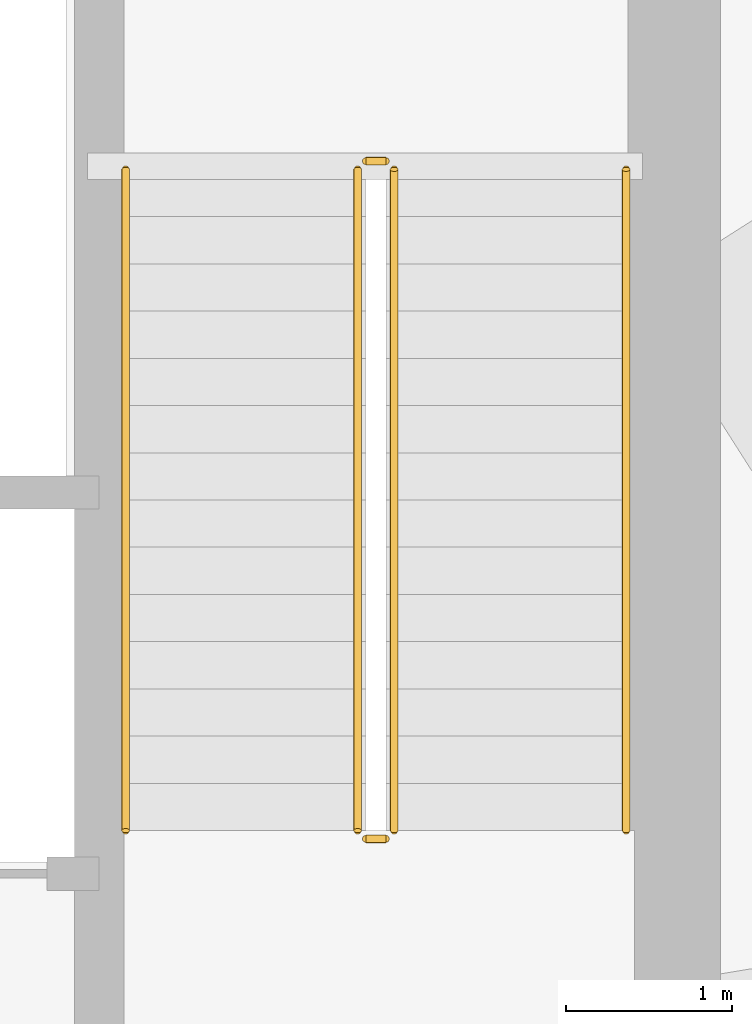
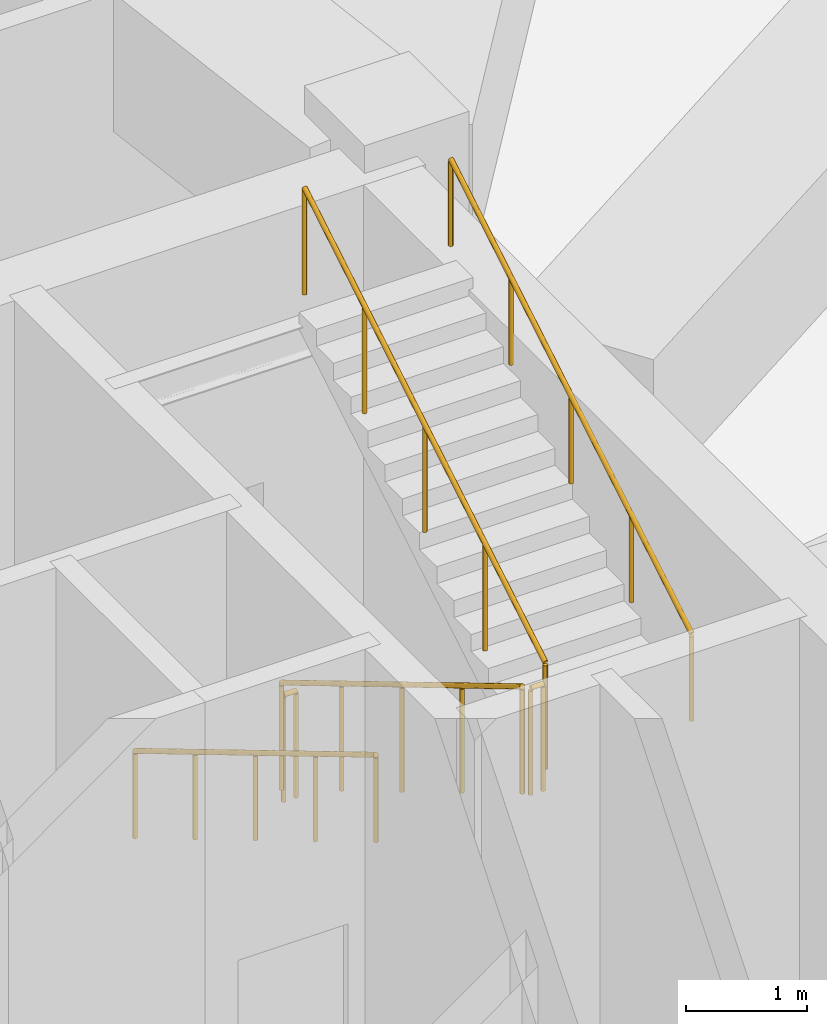
# One storey, part 23 of 23: 6 railings.
"""IFC4 building model written with IfcOpenShell, lengths in metres."""

from ifc_helpers import new_model, si_unit, direction, frame, origin, origin_2d, place, context, subcontext, project, spatial, circle, extrude, material, type_object, element, save


model = new_model("IFC4")

# Units and contexts
model_context = context("Model", 3, precision=1e-05, world=origin(), true_north=direction((0.0, 1.0)))
body_context = subcontext(model_context, "Body", "Model", "MODEL_VIEW")
ifc_project = project(units=[si_unit("LENGTHUNIT", "METRE"), si_unit("AREAUNIT", "SQUARE_METRE"), si_unit("VOLUMEUNIT", "CUBIC_METRE"), si_unit("PLANEANGLEUNIT", "RADIAN"), si_unit("MASSUNIT", "GRAM", prefix="KILO")], contexts=[model_context])

# Site, building, storey
site_placement = place(None, origin())
site = spatial("IfcSite", under=ifc_project, at=site_placement, CompositionType="ELEMENT")
building_placement = place(site_placement, origin())
building = spatial("IfcBuilding", under=site, at=building_placement, Name="Qobustan Lattice House", CompositionType="ELEMENT")
storey_placement = place(building_placement, frame((0.0, 0.0, 125.89990234375)))
storey = spatial("IfcBuildingStorey", under=building, at=storey_placement, Name="L35", CompositionType="ELEMENT", Elevation=125.89990234375)

# Railings
ifc_material_1 = material(Name="Brushed stainless steel handrail", Category="steel")
railing_type_1 = type_object("IfcRailingType", Name="RAL-HR-920", PredefinedType="HANDRAIL", material=ifc_material_1)
railing_1_placement = place(storey_placement, frame((15.179931640625, 3.5, 0.170166015625)))
element("IfcRailing", 1, at=railing_1_placement, inside=storey, type_object=railing_type_1, Name="L35 ST-E1 stair handrail 1", PredefinedType="HANDRAIL", context=body_context, shape_type="SweptSolid", body=[
    extrude(circle(Radius=0.02392578125, at=origin_2d()), frame((0.0, 0.0, 0.8759765625), z_axis=(0.0, -0.85883005064, 0.512260621284), x_axis=(1.0, 0.0, 0.0)), (0.0, 0.0, 1.0), 4.645751953125),
    extrude(circle(Radius=0.02099609375, at=origin_2d()), origin(), (0.0, 0.0, 1.0), 0.851806640625),
    extrude(circle(Radius=0.02099609375, at=origin_2d()), frame((0.0, -0.99755859375, 0.594970703125)), (0.0, 0.0, 1.0), 0.851806640625),
    extrude(circle(Radius=0.02099609375, at=origin_2d()), frame((0.0, -1.9951171875, 1.18994140625)), (0.0, 0.0, 1.0), 0.851806640625),
    extrude(circle(Radius=0.02099609375, at=origin_2d()), frame((0.0, -2.992431640625, 1.784912109375)), (0.0, 0.0, 1.0), 0.851806640625),
    extrude(circle(Radius=0.02099609375, at=origin_2d()), frame((0.0, -3.989990234375, 2.3798828125)), (0.0, 0.0, 1.0), 0.851806640625),
])
railing_2_placement = place(storey_placement, frame((18.199951171875, -0.489990234375, 2.72021484375)))
element("IfcRailing", 2, at=railing_2_placement, inside=storey, type_object=railing_type_1, Name="L35 ST-E1 stair handrail 2", PredefinedType="HANDRAIL", context=body_context, shape_type="SweptSolid", body=[
    extrude(circle(Radius=0.02392578125, at=origin_2d()), frame((0.0, 0.0, 0.8759765625), z_axis=(0.0, 0.85883005064, 0.512260621284), x_axis=(-1.0, 0.0, 0.0)), (0.0, 0.0, 1.0), 4.645751953125),
    extrude(circle(Radius=0.02099609375, at=origin_2d()), origin(), (0.0, 0.0, 1.0), 0.851806640625),
    extrude(circle(Radius=0.02099609375, at=origin_2d()), frame((0.0, 0.99755859375, 0.594970703125)), (0.0, 0.0, 1.0), 0.851806640625),
    extrude(circle(Radius=0.02099609375, at=origin_2d()), frame((0.0, 1.9951171875, 1.18994140625)), (0.0, 0.0, 1.0), 0.851806640625),
    extrude(circle(Radius=0.02099609375, at=origin_2d()), frame((0.0, 2.992431640625, 1.784912109375)), (0.0, 0.0, 1.0), 0.851806640625),
    extrude(circle(Radius=0.02099609375, at=origin_2d()), frame((0.0, 3.989990234375, 2.3798828125)), (0.0, 0.0, 1.0), 0.851806640625),
])
ifc_material_2 = material(Name="Painted galvanized steel guardrail", Category="steel")
railing_type_2 = type_object("IfcRailingType", Name="RAL-STG-1150", PredefinedType="GUARDRAIL", material=ifc_material_2)
railing_3_placement = place(storey_placement, frame((16.580078125, 3.5, 0.170166015625)))
element("IfcRailing", 3, at=railing_3_placement, inside=storey, type_object=railing_type_2, Name="L35 ST-E1 stair guard 1", PredefinedType="GUARDRAIL", context=body_context, shape_type="SweptSolid", body=[
    extrude(circle(Radius=0.02392578125, at=origin_2d()), frame((0.0, 0.0, 1.076171875), z_axis=(0.0, -0.85883005064, 0.512260621284), x_axis=(1.0, 0.0, 0.0)), (0.0, 0.0, 1.0), 4.645751953125),
    extrude(circle(Radius=0.02099609375, at=origin_2d()), origin(), (0.0, 0.0, 1.0), 1.052001953125),
    extrude(circle(Radius=0.02099609375, at=origin_2d()), frame((0.0, -0.99755859375, 0.594970703125)), (0.0, 0.0, 1.0), 1.052001953125),
    extrude(circle(Radius=0.02099609375, at=origin_2d()), frame((0.0, -1.9951171875, 1.18994140625)), (0.0, 0.0, 1.0), 1.052001953125),
    extrude(circle(Radius=0.02099609375, at=origin_2d()), frame((0.0, -2.992431640625, 1.784912109375)), (0.0, 0.0, 1.0), 1.052001953125),
    extrude(circle(Radius=0.02099609375, at=origin_2d()), frame((0.0, -3.989990234375, 2.3798828125)), (0.0, 0.0, 1.0), 1.052001953125),
])
railing_4_placement = place(storey_placement, frame((16.6298828125, -0.5400390625, 2.550048828125)))
element("IfcRailing", 4, at=railing_4_placement, inside=storey, type_object=railing_type_2, Name="L35 ST-E1 stair guard 2", PredefinedType="GUARDRAIL", context=body_context, shape_type="SweptSolid", body=[
    extrude(circle(Radius=0.02392578125, at=origin_2d()), frame((0.0, 0.0, 1.076171875), z_axis=(1.0, 0.0, 0.0), x_axis=(0.0, 1.0, 0.0)), (0.0, 0.0, 1.0), 0.1201171875),
    extrude(circle(Radius=0.02099609375, at=origin_2d()), origin(), (0.0, 0.0, 1.0), 1.052001953125),
    extrude(circle(Radius=0.02099609375, at=origin_2d()), frame((0.1201171875, 0.0, 0.0)), (0.0, 0.0, 1.0), 1.052001953125),
])
railing_5_placement = place(storey_placement, frame((16.800048828125, -0.489990234375, 2.72021484375)))
element("IfcRailing", 5, at=railing_5_placement, inside=storey, type_object=railing_type_2, Name="L35 ST-E1 stair guard 3", PredefinedType="GUARDRAIL", context=body_context, shape_type="SweptSolid", body=[
    extrude(circle(Radius=0.02392578125, at=origin_2d()), frame((0.0, 0.0, 1.076171875), z_axis=(0.0, 0.85883005064, 0.512260621284), x_axis=(-1.0, 0.0, 0.0)), (0.0, 0.0, 1.0), 4.645751953125),
    extrude(circle(Radius=0.02099609375, at=origin_2d()), origin(), (0.0, 0.0, 1.0), 1.052001953125),
    extrude(circle(Radius=0.02099609375, at=origin_2d()), frame((0.0, 0.99755859375, 0.594970703125)), (0.0, 0.0, 1.0), 1.052001953125),
    extrude(circle(Radius=0.02099609375, at=origin_2d()), frame((0.0, 1.9951171875, 1.18994140625)), (0.0, 0.0, 1.0), 1.052001953125),
    extrude(circle(Radius=0.02099609375, at=origin_2d()), frame((0.0, 2.992431640625, 1.784912109375)), (0.0, 0.0, 1.0), 1.052001953125),
    extrude(circle(Radius=0.02099609375, at=origin_2d()), frame((0.0, 3.989990234375, 2.3798828125)), (0.0, 0.0, 1.0), 1.052001953125),
])
railing_6_placement = place(storey_placement, frame((16.6298828125, 3.550048828125, 0.0)))
element("IfcRailing", 6, at=railing_6_placement, inside=storey, type_object=railing_type_2, Name="L35 ST-E1 stair guard 4", PredefinedType="GUARDRAIL", context=body_context, shape_type="SweptSolid", body=[
    extrude(circle(Radius=0.02392578125, at=origin_2d()), frame((0.0, 0.0, 1.076171875), z_axis=(1.0, 0.0, 0.0), x_axis=(0.0, 1.0, 0.0)), (0.0, 0.0, 1.0), 0.1201171875),
    extrude(circle(Radius=0.02099609375, at=origin_2d()), origin(), (0.0, 0.0, 1.0), 1.052001953125),
    extrude(circle(Radius=0.02099609375, at=origin_2d()), frame((0.1201171875, 0.0, 0.0)), (0.0, 0.0, 1.0), 1.052001953125),
])

save(model, "model.ifc")
